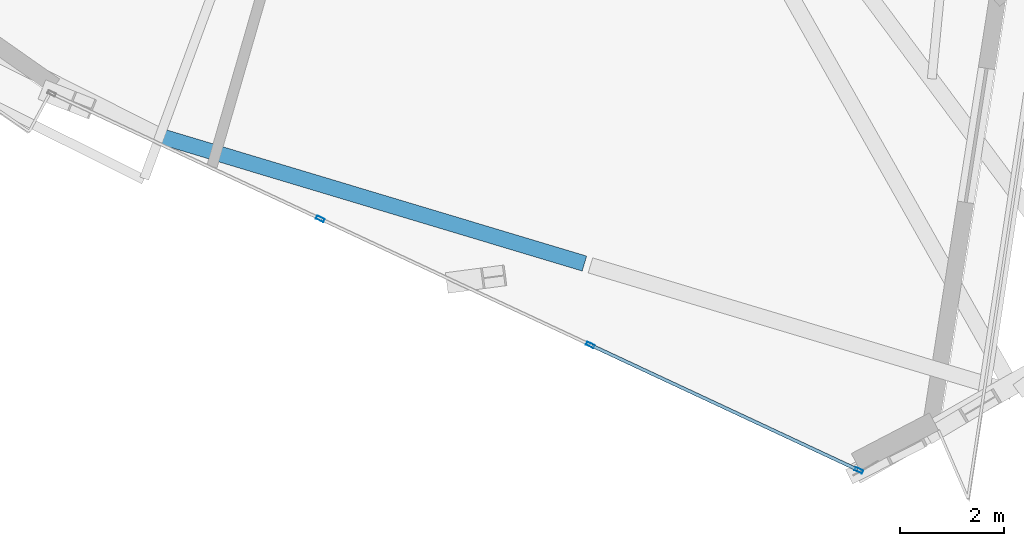
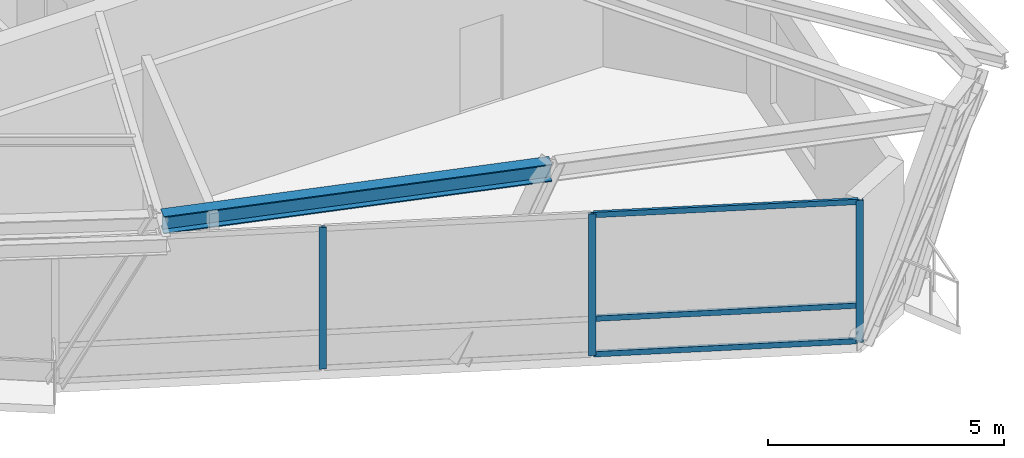
# One storey, part 4 of 22: 6 members, 1 beam, 1 element without a shape of its own.
"""IFC4 building model written with IfcOpenShell, lengths in metres."""

from ifc_helpers import new_model, si_unit, direction, frame, origin, origin_2d, place, context, subcontext, project, spatial, hollow_rectangle, i_section, extrude, source, transform, mapped, material, material_profile, profile_set, type_object, element, aggregate, save


model = new_model("IFC4")

# Units and contexts
model_context = context("Model", 3, precision=1e-05, world=origin(), true_north=direction((0.0, 1.0)))
body_context = subcontext(model_context, "Body", "Model", "MODEL_VIEW")
ifc_project = project(units=[si_unit("LENGTHUNIT", "METRE"), si_unit("AREAUNIT", "SQUARE_METRE"), si_unit("VOLUMEUNIT", "CUBIC_METRE"), si_unit("PLANEANGLEUNIT", "RADIAN"), si_unit("MASSUNIT", "GRAM", prefix="KILO")], contexts=[model_context])

# Site, building, storey
site_placement = place(None, origin())
site = spatial("IfcSite", under=ifc_project, at=site_placement, CompositionType="ELEMENT")
building_placement = place(site_placement, origin())
building = spatial("IfcBuilding", under=site, at=building_placement, Name="Olszyna Solenne Hotel", CompositionType="ELEMENT")
storey_placement = place(building_placement, frame((0.0, 0.0, 286.10009765625)))
storey = spatial("IfcBuildingStorey", under=building, at=storey_placement, Name="L76", CompositionType="ELEMENT", Elevation=286.10009765625)

# Beam
ifc_material_1 = material(Name="Steel S355J2", Category="steel")
ifc_material_profile_1 = material_profile(ifc_material_1, i_section(OverallWidth=0.300048828125, OverallDepth=0.449951171875, WebThickness=0.013916015625, FlangeThickness=0.02587890625, at=origin_2d()), Name="HEB 450", Category="load-bearing")
ifc_profile_set_1 = profile_set([ifc_material_profile_1], Name="Steel S355J2")
beam_type = type_object("IfcBeamType", Name="BM-S4", PredefinedType="BEAM", material=ifc_profile_set_1)
shared_shape_1 = source(origin(), body_context, "Body", "SweptSolid", [
    extrude(i_section(OverallWidth=0.300048828125, OverallDepth=0.449951171875, WebThickness=0.013916015625, FlangeThickness=0.02587890625, at=origin_2d()), origin(), (0.0, 0.0, 1.0), 8.439697265625),
])
beam_placement = place(storey_placement, frame((32.678955078125, 11.9951171875, 3.89501953125), z_axis=(0.957715545112, -0.287716761159, 0.0), x_axis=(0.287716761159, 0.957715545112, 0.0)))
element("IfcBeam", 1, at=beam_placement, inside=storey, type_object=beam_type, Name="Perimeter spandrel beam BM-S4 B-L76-2230", PredefinedType="BEAM", context=body_context, shape_type="MappedRepresentation", body=[
    mapped(shared_shape_1, transform((0.0, 0.0, 0.0), x_axis=(1.0, 0.0, 0.0), y_axis=(0.0, 1.0, 0.0), z_axis=(0.0, 0.0, 1.0), scale=1.0)),
])

# Curtain wall, members
ifc_material_2 = material(Name="Anodised bronze aluminium", Category="aluminium")
curtain_wall_type = type_object("IfcCurtainWallType", Name="CW-SYS-7", PredefinedType="NOTDEFINED", material=ifc_material_2)
curtain_wall_placement = place(storey_placement, origin())
curtain_wall = element("IfcCurtainWall", 2, at=curtain_wall_placement, inside=storey, type_object=curtain_wall_type, Name="Unitised curtain wall CW-SYS-7 CW-L76-01", PredefinedType="NOTDEFINED")
ifc_material_profile_2 = material_profile(ifc_material_2, hollow_rectangle(XDim=0.06494140625, YDim=0.159912109375, WallThickness=0.00390625, at=origin_2d()), Name="MULL 160x65x4", Category="load-bearing")
ifc_profile_set_2 = profile_set([ifc_material_profile_2], Name="Anodised bronze aluminium")
member_type_1 = type_object("IfcMemberType", Name="CW-M3", PredefinedType="MULLION", material=ifc_profile_set_2)
shared_shape_2 = source(origin(), body_context, "Body", "SweptSolid", [
    extrude(hollow_rectangle(XDim=0.06494140625, YDim=0.159912109375, WallThickness=0.00390625, at=origin_2d()), origin(), (0.0, 0.0, 1.0), 3.661865234375),
])
member_1_placement = place(storey_placement, frame((35.69677734375, 10.424560546875, 0.0), z_axis=(0.0, 0.0, 1.0), x_axis=(0.423084055613, 0.906090438028, 0.0)))
member_1 = element("IfcMember", 3, at=member_1_placement, type_object=member_type_1, Name="Curtain-wall mullion CW-M3 CM-L76-01-02", PredefinedType="MULLION", context=body_context, shape_type="MappedRepresentation", body=[
    mapped(shared_shape_2, transform((0.0, 0.0, 0.0), x_axis=(1.0, 0.0, 0.0), y_axis=(0.0, 1.0, 0.0), z_axis=(0.0, 0.0, 1.0), scale=1.0)),
])
member_2_placement = place(storey_placement, frame((40.875244140625, 8.006591796875, 0.0), z_axis=(0.0, 0.0, 1.0), x_axis=(0.423084055613, 0.906090438028, 0.0)))
member_2 = element("IfcMember", 4, at=member_2_placement, type_object=member_type_1, Name="Curtain-wall mullion CW-M3 CM-L76-01-03", PredefinedType="MULLION", context=body_context, shape_type="MappedRepresentation", body=[
    mapped(shared_shape_2, transform((0.0, 0.0, 0.0), x_axis=(1.0, 0.0, 0.0), y_axis=(0.0, 1.0, 0.0), z_axis=(0.0, 0.0, 1.0), scale=1.0)),
])
member_3_placement = place(storey_placement, frame((46.024169921875, 5.602294921875, 0.0), z_axis=(0.0, 0.0, 1.0), x_axis=(0.423084055613, 0.906090438028, 0.0)))
member_3 = element("IfcMember", 5, at=member_3_placement, type_object=member_type_1, Name="Curtain-wall mullion CW-M3 CM-L76-01-04", PredefinedType="MULLION", context=body_context, shape_type="MappedRepresentation", body=[
    mapped(shared_shape_2, transform((0.0, 0.0, 0.0), x_axis=(1.0, 0.0, 0.0), y_axis=(0.0, 1.0, 0.0), z_axis=(0.0, 0.0, 1.0), scale=1.0)),
])
ifc_material_profile_3 = material_profile(ifc_material_2, hollow_rectangle(XDim=0.06494140625, YDim=0.139892578125, WallThickness=0.00390625, at=origin_2d()), Name="TRAN 140x65x4", Category="load-bearing")
ifc_profile_set_3 = profile_set([ifc_material_profile_3], Name="Anodised bronze aluminium")
member_type_2 = type_object("IfcMemberType", Name="CW-T2", PredefinedType="USERDEFINED", material=ifc_profile_set_3)
shared_shape_3 = source(origin(), body_context, "Body", "SweptSolid", [
    extrude(hollow_rectangle(XDim=0.06494140625, YDim=0.139892578125, WallThickness=0.00390625, at=origin_2d()), origin(), (0.0, 0.0, 1.0), 5.61767578125),
])
member_4_placement = place(storey_placement, frame((40.90478515625, 7.992919921875, 0.032470703125), z_axis=(0.906092075602, -0.423080548515, 0.0), x_axis=(0.423080548515, 0.906092075602, 0.0)))
member_4 = element("IfcMember", 6, at=member_4_placement, type_object=member_type_2, Name="Curtain-wall transom CW-T2 CT-L76-01-07", ObjectType="TRANSOM", PredefinedType="USERDEFINED", context=body_context, shape_type="MappedRepresentation", body=[
    mapped(shared_shape_3, transform((0.0, 0.0, 0.0), x_axis=(1.0, 0.0, 0.0), y_axis=(0.0, 1.0, 0.0), z_axis=(0.0, 0.0, 1.0), scale=1.0)),
])
member_5_placement = place(storey_placement, frame((40.90478515625, 7.992919921875, 0.949951171875), z_axis=(0.906092075602, -0.423080548515, 0.0), x_axis=(0.423080548515, 0.906092075602, 0.0)))
member_5 = element("IfcMember", 7, at=member_5_placement, type_object=member_type_2, Name="Curtain-wall transom CW-T2 CT-L76-01-08", ObjectType="TRANSOM", PredefinedType="USERDEFINED", context=body_context, shape_type="MappedRepresentation", body=[
    mapped(shared_shape_3, transform((0.0, 0.0, 0.0), x_axis=(1.0, 0.0, 0.0), y_axis=(0.0, 1.0, 0.0), z_axis=(0.0, 0.0, 1.0), scale=1.0)),
])
member_6_placement = place(storey_placement, frame((40.90478515625, 7.992919921875, 3.62939453125), z_axis=(0.906092075602, -0.423080548515, 0.0), x_axis=(0.423080548515, 0.906092075602, 0.0)))
member_6 = element("IfcMember", 8, at=member_6_placement, type_object=member_type_2, Name="Curtain-wall transom CW-T2 CT-L76-01-09", ObjectType="TRANSOM", PredefinedType="USERDEFINED", context=body_context, shape_type="MappedRepresentation", body=[
    mapped(shared_shape_3, transform((0.0, 0.0, 0.0), x_axis=(1.0, 0.0, 0.0), y_axis=(0.0, 1.0, 0.0), z_axis=(0.0, 0.0, 1.0), scale=1.0)),
])
aggregate(curtain_wall, [member_1, member_2, member_3, member_4, member_5, member_6])

save(model, "model.ifc")
